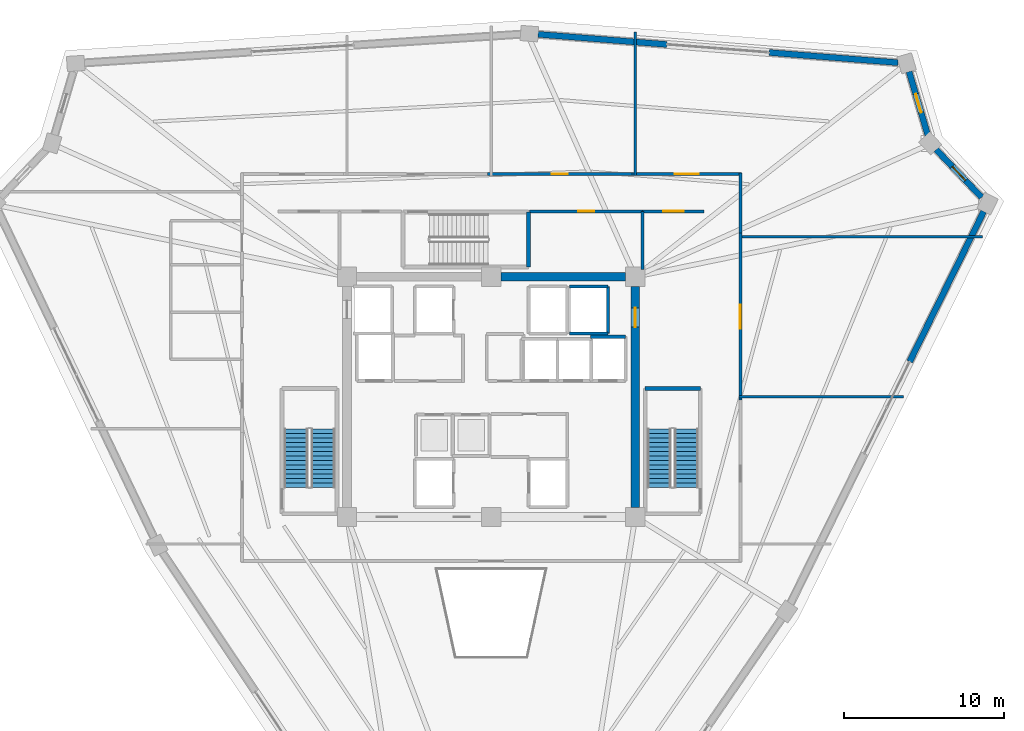
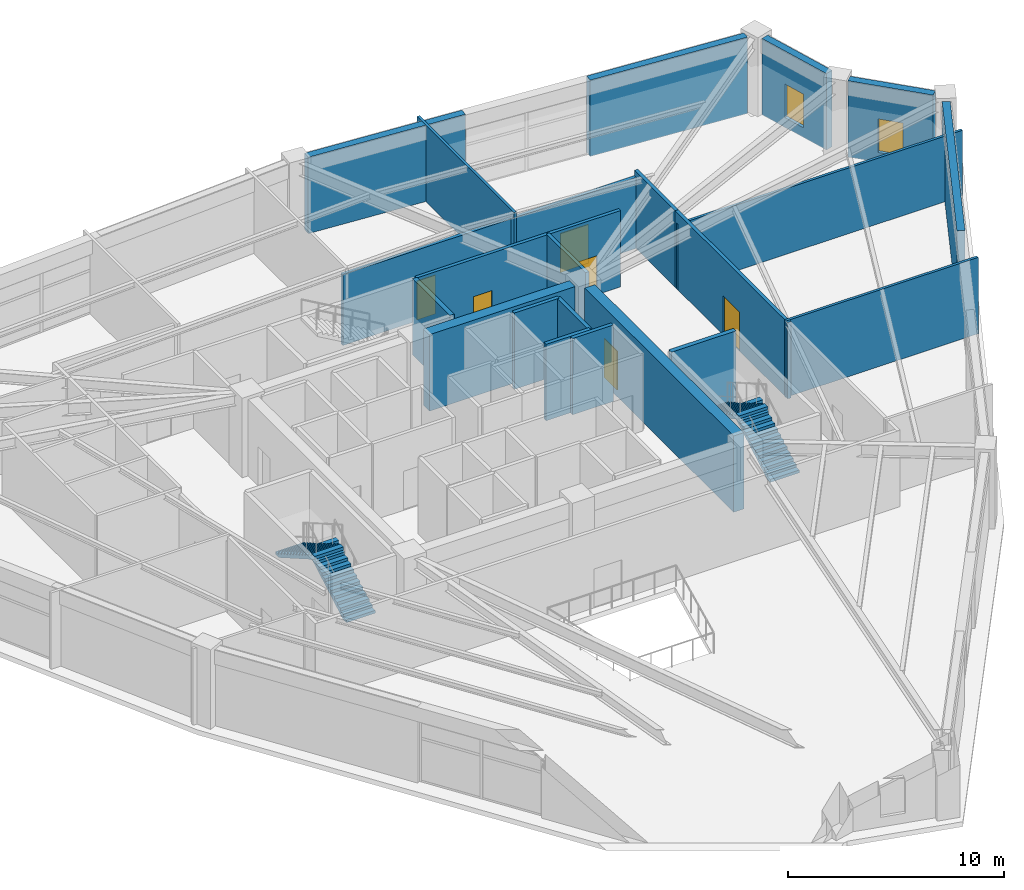
# One storey, part 31 of 35: 23 walls, 6 doors, 4 stair flights, 2 windows, 8 openings, 2 elements without a shape of their own.
"""IFC4 building model written with IfcOpenShell, lengths in metres."""

import ifcopenshell
import ifcopenshell.guid

model = None  # the IFC model being written
_history = None  # IfcOwnerHistory: only IFC2X3 demands one
_inside = {}  # id of a spatial element -> (the spatial element, [elements in it])
_under = {}  # id of a project, library or spatial element -> (it, [spatial elements below it])
_declared = {}  # id of a project -> (the project, [libraries it declares])
_typed = {}  # id of a type object -> (the type object, [elements of that type])
_made_of = {}  # id of a material, layer set ... -> (it, [elements and type objects made of it])


def new_model(schema):
    """Start an empty IFC model of exactly this schema.

    Asked for "IFC4X3", IfcOpenShell would pick the latest addendum, in which some entities
    have other attributes; the version numbers below select the first issue.
    IFC2X3 requires an IfcOwnerHistory on every rooted entity: one is made here for all.
    """
    global model, _history
    if schema == "IFC4X3":
        model = ifcopenshell.file(schema_version=(4, 3, 0, 0))
    else:
        model = ifcopenshell.file(schema=schema)
    _inside.clear()
    _under.clear()
    _declared.clear()
    _typed.clear()
    _made_of.clear()
    _history = None
    if model.schema == "IFC2X3":
        org = make("IfcOrganization", Name="unknown")
        user = make(
            "IfcPersonAndOrganization",
            ThePerson=make("IfcPerson", FamilyName="unknown"),
            TheOrganization=org,
        )
        app = make(
            "IfcApplication",
            ApplicationDeveloper=org,
            Version="unknown",
            ApplicationFullName="unknown",
            ApplicationIdentifier="unknown",
        )
        _history = make(
            "IfcOwnerHistory",
            OwningUser=user,
            OwningApplication=app,
            ChangeAction="ADDED",
            CreationDate=0,
        )
    return model


def make(cls, **values):
    """One entity of the class cls with the attributes given. An attribute that is None is left unset."""
    return model.create_entity(
        cls, **{name: value for name, value in values.items() if value is not None}
    )


def rooted(cls, **values):
    """An entity with a GlobalId (a new one), such as an element, a storey or a relation."""
    return make(cls, GlobalId=ifcopenshell.guid.new(), OwnerHistory=_history, **values)


def si_unit(unit_type, name, prefix=None):
    """IfcSIUnit, for example si_unit("LENGTHUNIT", "METRE", prefix="MILLI")."""
    return make("IfcSIUnit", UnitType=unit_type, Prefix=prefix, Name=name)


def assignment(units):
    """IfcUnitAssignment: the units of a project."""
    return None if units is None else make("IfcUnitAssignment", Units=units)


def point(xyz):
    """IfcCartesianPoint."""
    return None if xyz is None else make("IfcCartesianPoint", Coordinates=xyz)


def direction(xyz):
    """IfcDirection."""
    return None if xyz is None else make("IfcDirection", DirectionRatios=xyz)


def frame(location, z_axis=None, x_axis=None):
    """IfcAxis2Placement3D, a coordinate frame: its origin and axes. An axis left out is left unset."""
    return make(
        "IfcAxis2Placement3D",
        Location=point(location),
        Axis=direction(z_axis),
        RefDirection=direction(x_axis),
    )


def frame_2d(location, x_axis=None):
    """IfcAxis2Placement2D, a coordinate frame in the plane: its origin and x axis."""
    return make(
        "IfcAxis2Placement2D", Location=point(location), RefDirection=direction(x_axis)
    )


def origin():
    """The frame at (0, 0, 0) with its axes left unset."""
    return frame((0.0, 0.0, 0.0))


def place(relative_to, where):
    """IfcLocalPlacement: puts the frame where relative to a parent placement (None: the world)."""
    return make(
        "IfcLocalPlacement", PlacementRelTo=relative_to, RelativePlacement=where
    )


def context(
    kind, dimensions, precision=None, world=None, true_north=None, identifier=None
):
    """IfcGeometricRepresentationContext, for example the 3D "Model" context."""
    return make(
        "IfcGeometricRepresentationContext",
        ContextIdentifier=identifier,
        ContextType=kind,
        CoordinateSpaceDimension=dimensions,
        Precision=precision,
        WorldCoordinateSystem=world,
        TrueNorth=true_north,
    )


def subcontext(parent, identifier, kind, view, scale=None):
    """IfcGeometricRepresentationSubContext, for example "Body" below "Model"."""
    return make(
        "IfcGeometricRepresentationSubContext",
        ContextIdentifier=identifier,
        ContextType=kind,
        ParentContext=parent,
        TargetScale=scale,
        TargetView=view,
    )


def project(units=None, contexts=None):
    """IfcProject with its units and contexts."""
    return rooted(
        "IfcProject",
        Name="project",
        RepresentationContexts=contexts,
        UnitsInContext=assignment(units),
    )


def spatial(cls, under=None, at=None, **own):
    """A site, building, storey or space (cls), placed at a placement, below another one or the project."""
    s = rooted(cls, ObjectPlacement=at, **own)
    if under is not None:
        _under.setdefault(under.id(), (under, []))[1].append(s)
    return s


def polyline(points):
    """IfcPolyline through the points."""
    return make("IfcPolyline", Points=[point(p) for p in points])


def profile(cls, at=None, kind="AREA", **sizes):
    """A parametric profile (cls). Its sizes go by their IFC names, for example OverallWidth=200.0."""
    return make(cls, ProfileType=kind, Position=at, **sizes)


def rectangle(**sizes):
    """IfcRectangleProfileDef."""
    return profile("IfcRectangleProfileDef", **sizes)


def outline(outer, holes=None, kind="AREA"):
    """IfcArbitraryClosedProfileDef: a profile drawn as a closed curve; with holes, ...WithVoids."""
    if holes is None:
        return make("IfcArbitraryClosedProfileDef", ProfileType=kind, OuterCurve=outer)
    return make(
        "IfcArbitraryProfileDefWithVoids",
        ProfileType=kind,
        OuterCurve=outer,
        InnerCurves=holes,
    )


def extrude(swept, where, along, depth):
    """IfcExtrudedAreaSolid: the profile swept, set in the frame where, extruded along a direction by depth."""
    return make(
        "IfcExtrudedAreaSolid",
        SweptArea=swept,
        Position=where,
        ExtrudedDirection=direction(along),
        Depth=depth,
    )


def shape(context_of_items, identifier, shape_type, items):
    """IfcShapeRepresentation: the items that make up one representation, for example the "Body"."""
    return make(
        "IfcShapeRepresentation",
        ContextOfItems=context_of_items,
        RepresentationIdentifier=identifier,
        RepresentationType=shape_type,
        Items=items,
    )


def source(mapping_origin, context_of_items, identifier, shape_type, items):
    """IfcRepresentationMap: a shape defined once, which mapped items show again and again."""
    return make(
        "IfcRepresentationMap",
        MappingOrigin=mapping_origin,
        MappedRepresentation=shape(context_of_items, identifier, shape_type, items),
    )


def transform(
    local_origin,
    x_axis=None,
    y_axis=None,
    z_axis=None,
    scale=None,
    scale2=None,
    scale3=None,
    uniform=True,
):
    """IfcCartesianTransformationOperator3D, or its non-uniform kind. x_axis, y_axis, z_axis: its Axis1, 2, 3."""
    if uniform:
        return make(
            "IfcCartesianTransformationOperator3D",
            Axis1=direction(x_axis),
            Axis2=direction(y_axis),
            LocalOrigin=point(local_origin),
            Scale=scale,
            Axis3=direction(z_axis),
        )
    return make(
        "IfcCartesianTransformationOperator3DnonUniform",
        Axis1=direction(x_axis),
        Axis2=direction(y_axis),
        LocalOrigin=point(local_origin),
        Scale=scale,
        Axis3=direction(z_axis),
        Scale2=scale2,
        Scale3=scale3,
    )


def mapped(mapping_source, mapping_target):
    """IfcMappedItem: shows the shape of a source again, moved by a transform."""
    return make(
        "IfcMappedItem", MappingSource=mapping_source, MappingTarget=mapping_target
    )


def material(Name=None, Category=None):
    """IfcMaterial."""
    return make("IfcMaterial", Name=Name, Category=Category)


def layer(
    of_material, thickness, ventilated=None, Name=None, Category=None, Priority=None
):
    """IfcMaterialLayer: one layer of a wall or slab, of a material (None: an air gap)."""
    return make(
        "IfcMaterialLayer",
        Material=of_material,
        LayerThickness=thickness,
        IsVentilated=ventilated,
        Name=Name,
        Category=Category,
        Priority=Priority,
    )


def layer_set(layers, Name=None):
    """IfcMaterialLayerSet."""
    return make("IfcMaterialLayerSet", MaterialLayers=layers, LayerSetName=Name)


def made_of(thing, what):
    """Note that an element or type object is made of a material, layer set ...; save() writes the relation."""
    if what is not None:
        _made_of.setdefault(what.id(), (what, []))[1].append(thing)
    return thing


def type_object(cls, material=None, **own):
    """A type object (cls), such as IfcWallType, which elements share."""
    return made_of(rooted(cls, **own), material)


def element(
    cls,
    number,
    at=None,
    inside=None,
    cuts=None,
    type_object=None,
    material=None,
    context=None,
    identifier="Body",
    shape_type=None,
    held_by="IfcProductDefinitionShape",
    body=None,
    shapes=None,
    **own,
):
    """One element of the class cls, such as IfcWall. Its Tag is "e" and its number.

    at: its placement. inside: the storey or other place that contains it. cuts: it is an
    opening in that element (IfcRelVoidsElement). A single representation is given by context,
    identifier, shape_type and body (its items); several are given by shapes. held_by: the class
    of the entity that holds the representations. save() writes the other relations.
    """
    e = rooted(cls, Tag="e%d" % number, ObjectPlacement=at, **own)
    if body is not None:
        shapes = [shape(context, identifier, shape_type, body)]
    if shapes is not None:
        e.Representation = make(held_by, Representations=shapes)
    if inside is not None:
        _inside.setdefault(inside.id(), (inside, []))[1].append(e)
    if cuts is not None:
        rooted(
            "IfcRelVoidsElement", RelatingBuildingElement=cuts, RelatedOpeningElement=e
        )
    if type_object is not None:
        _typed.setdefault(type_object.id(), (type_object, []))[1].append(e)
    return made_of(e, material)


def fill(opening, filler):
    """IfcRelFillsElement: the door or window that sits in an opening."""
    return rooted(
        "IfcRelFillsElement",
        RelatingOpeningElement=opening,
        RelatedBuildingElement=filler,
    )


def aggregate(whole, parts):
    """IfcRelAggregates: a whole, such as a stair, and the parts it consists of."""
    return rooted("IfcRelAggregates", RelatingObject=whole, RelatedObjects=parts)


def save(model, path):
    """Write the relations noted so far, then the file.

    IfcRelAggregates (storeys below a building ...), IfcRelContainedInSpatialStructure (elements
    in a storey), IfcRelDefinesByType, IfcRelAssociatesMaterial and IfcRelDeclares: one each for
    every whole, place, type object, material and project.
    """
    for whole, parts in _under.values():
        aggregate(whole, parts)
    for where, things in _inside.values():
        rooted(
            "IfcRelContainedInSpatialStructure",
            RelatedElements=things,
            RelatingStructure=where,
        )
    for kind, things in _typed.values():
        rooted("IfcRelDefinesByType", RelatedObjects=things, RelatingType=kind)
    for what, things in _made_of.values():
        rooted("IfcRelAssociatesMaterial", RelatedObjects=things, RelatingMaterial=what)
    for by, libraries in _declared.values():
        rooted("IfcRelDeclares", RelatingContext=by, RelatedDefinitions=libraries)
    model.write(path)


model = new_model("IFC4")

# Units and contexts
model_context = context("Model", 3, precision=1e-05, world=origin(), true_north=direction((0.0, 1.0)))
body_context = subcontext(model_context, "Body", "Model", "MODEL_VIEW")
ifc_project = project(units=[si_unit("LENGTHUNIT", "METRE"), si_unit("AREAUNIT", "SQUARE_METRE"), si_unit("VOLUMEUNIT", "CUBIC_METRE"), si_unit("PLANEANGLEUNIT", "RADIAN"), si_unit("MASSUNIT", "GRAM", prefix="KILO")], contexts=[model_context])

# Site, building, storey
site_placement = place(None, origin())
site = spatial("IfcSite", under=ifc_project, at=site_placement, CompositionType="ELEMENT")
building_placement = place(site_placement, origin())
building = spatial("IfcBuilding", under=site, at=building_placement, Name="Liaohun Quay Tower", CompositionType="ELEMENT")
storey_placement = place(building_placement, frame((0.0, 0.0, 282.0)))
storey = spatial("IfcBuildingStorey", under=building, at=storey_placement, Name="L73", CompositionType="ELEMENT", Elevation=282.0)

# Wall
ifc_material_1 = material(Name="Concrete C50", Category="concrete")
ifc_layer_1 = layer(ifc_material_1, 0.550048828125, Name="Concrete C50", Category="concrete")
ifc_layer_set_1 = layer_set([ifc_layer_1], Name="Concrete C50")
wall_type_1 = type_object("IfcWallType", Name="WAL-COR-Z4", PredefinedType="SHEAR", material=ifc_layer_set_1)
wall_1_placement = place(storey_placement, frame((60.60009765625, 61.5, 0.0), z_axis=(0.0, 0.0, 1.0), x_axis=(1.0, 0.0, 0.0)))
element("IfcWall", 1, at=wall_1_placement, inside=storey, type_object=wall_type_1, Name="L73 Central Core Shear Wall N-E", PredefinedType="SHEAR", context=body_context, shape_type="SweptSolid", body=[
    extrude(rectangle(XDim=7.7998046875, YDim=0.550048828125, at=frame_2d((3.89990234375, 0.0))), origin(), (0.0, 0.0, 1.0), 4.320068359375),
])

# Wall, opening, door
wall_2_placement = place(storey_placement, frame((69.0, 60.89990234375, 0.0), z_axis=(0.0, 0.0, 1.0), x_axis=(0.0, -1.0, 0.0)))
wall_2 = element("IfcWall", 2, at=wall_2_placement, inside=storey, type_object=wall_type_1, Name="L73 Central Core Shear Wall E", PredefinedType="SHEAR", context=body_context, shape_type="SweptSolid", body=[
    extrude(rectangle(XDim=13.7998046875, YDim=0.550048828125, at=frame_2d((6.89990234375, 0.0))), origin(), (0.0, 0.0, 1.0), 4.320068359375),
])
shared_shape_1 = source(origin(), body_context, "Body", "SweptSolid", [
    extrude(rectangle(XDim=1.199951171875, YDim=2.199951171875, at=frame_2d((0.60009765625, 1.10009765625))), frame((0.0, 0.284912109375, 0.0), z_axis=(0.0, -1.0, 0.0), x_axis=(1.0, 0.0, 0.0)), (0.0, 0.0, 1.0), 0.570068359375),
])
opening_1_placement = place(wall_2_placement, frame((1.35009765625, 0.0, 0.0)))
opening_1 = element("IfcOpeningElement", 3, at=opening_1_placement, cuts=wall_2, Name="Opening SD1", PredefinedType="OPENING", context=body_context, shape_type="MappedRepresentation", body=[
    mapped(shared_shape_1, transform((0.0, 0.0, 0.0), x_axis=(1.0, 0.0, 0.0), y_axis=(0.0, 1.0, 0.0), z_axis=(0.0, 0.0, 1.0), scale=1.0)),
])
ifc_material_2 = material(Name="Galvanised steel fire door", Category="steel")
door_type_1 = type_object("IfcDoorType", Name="DOR-STR-1200", OperationType="NOTDEFINED", PredefinedType="DOOR", material=ifc_material_2)
shared_shape_2 = source(origin(), body_context, "Body", "SweptSolid", [
    extrude(rectangle(XDim=1.199951171875, YDim=2.199951171875, at=frame_2d((0.60009765625, 1.10009765625))), frame((0.0, 0.02490234375, 0.0), z_axis=(0.0, -1.0, 0.0), x_axis=(1.0, 0.0, 0.0)), (0.0, 0.0, 1.0), 0.050048828125),
])
door_1_placement = place(opening_1_placement, origin())
door_1 = element("IfcDoor", 4, at=door_1_placement, inside=storey, type_object=door_type_1, Name="L73 North-East Core Lobby Smokeproof Door", OperationType="SINGLE_SWING_LEFT", OverallHeight=2.199951171875, OverallWidth=1.199951171875, PredefinedType="DOOR", context=body_context, shape_type="MappedRepresentation", body=[
    mapped(shared_shape_2, transform((0.0, 0.0, 0.0), x_axis=(1.0, 0.0, 0.0), y_axis=(0.0, 1.0, 0.0), z_axis=(0.0, 0.0, 1.0), scale=1.0)),
])
fill(opening_1, door_1)

# Wall
ifc_material_3 = material(Name="Precast concrete C50 insulated sandwich", Category="concrete")
ifc_layer_2 = layer(ifc_material_3, 0.3798828125, Name="Precast concrete C50 insulated sandwich", Category="concrete")
ifc_layer_set_2 = layer_set([ifc_layer_2], Name="Precast concrete C50 insulated sandwich")
wall_type_2 = type_object("IfcWallType", Name="WAL-EXT-Z34", PredefinedType="SOLIDWALL", material=ifc_layer_set_2)
wall_3_placement = place(storey_placement, frame((86.135986328125, 56.197998046875, 0.0), z_axis=(0.0, 0.0, 1.0), x_axis=(0.442088729398, 0.896971323588, 0.0)))
element("IfcWall", 5, at=wall_3_placement, inside=storey, type_object=wall_type_2, Name="L73 Belvedere Flank Pier Wall 03R", PredefinedType="SOLIDWALL", context=body_context, shape_type="SweptSolid", body=[
    extrude(rectangle(XDim=10.457275390625, YDim=0.3798828125, at=frame_2d((5.228515625, 0.0))), origin(), (0.0, 0.0, 1.0), 4.320068359375),
])

# Wall, opening, window
wall_4_placement = place(storey_placement, frame((90.6259765625, 66.452880859375, 0.0), z_axis=(0.0, 0.0, 1.0), x_axis=(-0.689252473485, 0.724521240403, 0.0)))
wall_4 = element("IfcWall", 6, at=wall_4_placement, inside=storey, type_object=wall_type_2, Name="L73 Corner Notch Precast Pier Wall 04", PredefinedType="SOLIDWALL", context=body_context, shape_type="SweptSolid", body=[
    extrude(rectangle(XDim=4.11865234375, YDim=0.3798828125, at=frame_2d((2.059326171875, 0.0))), origin(), (0.0, 0.0, 1.0), 4.320068359375),
])
shared_shape_3 = source(origin(), body_context, "Body", "SweptSolid", [
    extrude(rectangle(XDim=1.199951171875, YDim=1.89990234375, at=frame_2d((0.60009765625, 0.949951171875))), frame((0.0, 0.199951171875, 0.0), z_axis=(0.0, -1.0, 0.0), x_axis=(1.0, 0.0, 0.0)), (0.0, 0.0, 1.0), 0.39990234375),
])
opening_2_placement = place(wall_4_placement, frame((1.458984375, 0.0, 0.550048828125)))
opening_2 = element("IfcOpeningElement", 7, at=opening_2_placement, cuts=wall_4, Name="Opening W05", PredefinedType="OPENING", context=body_context, shape_type="MappedRepresentation", body=[
    mapped(shared_shape_3, transform((0.0, 0.0, 0.0), x_axis=(1.0, 0.0, 0.0), y_axis=(0.0, 1.0, 0.0), z_axis=(0.0, 0.0, 1.0), scale=1.0)),
])
ifc_material_4 = material(Name="Triple Low-E corner notch glazing", Category="glass")
window_type = type_object("IfcWindowType", Name="WIN-NOTCH", PartitioningType="SINGLE_PANEL", PredefinedType="WINDOW", material=ifc_material_4)
shared_shape_4 = source(origin(), body_context, "Body", "SweptSolid", [
    extrude(rectangle(XDim=1.199951171875, YDim=1.89990234375, at=frame_2d((0.60009765625, 0.949951171875))), frame((0.0, 0.030029296875, 0.0), z_axis=(0.0, -1.0, 0.0), x_axis=(1.0, 0.0, 0.0)), (0.0, 0.0, 1.0), 0.06005859375),
])
window_1_placement = place(opening_2_placement, origin())
window_1 = element("IfcWindow", 8, at=window_1_placement, inside=storey, type_object=window_type, Name="L73 Corner Notch Window W05-04", OverallHeight=1.89990234375, OverallWidth=1.199951171875, PartitioningType="SINGLE_PANEL", PredefinedType="WINDOW", context=body_context, shape_type="MappedRepresentation", body=[
    mapped(shared_shape_4, transform((0.0, 0.0, 0.0), x_axis=(1.0, 0.0, 0.0), y_axis=(0.0, 1.0, 0.0), z_axis=(0.0, 0.0, 1.0), scale=1.0)),
])
fill(opening_2, window_1)

wall_5_placement = place(storey_placement, frame((87.261962890625, 70.345947265625, 0.0), z_axis=(0.0, 0.0, 1.0), x_axis=(-0.282742714643, 0.959195786748, 0.0)))
wall_5 = element("IfcWall", 9, at=wall_5_placement, inside=storey, type_object=wall_type_2, Name="L73 Corner Notch Precast Pier Wall 05", PredefinedType="SOLIDWALL", context=body_context, shape_type="SweptSolid", body=[
    extrude(rectangle(XDim=4.12744140625, YDim=0.3798828125, at=frame_2d((2.063720703125, 0.0))), origin(), (0.0, 0.0, 1.0), 4.320068359375),
])
opening_3_placement = place(wall_5_placement, frame((1.464111328125, 0.0, 0.550048828125)))
opening_3 = element("IfcOpeningElement", 10, at=opening_3_placement, cuts=wall_5, Name="Opening W05", PredefinedType="OPENING", context=body_context, shape_type="MappedRepresentation", body=[
    mapped(shared_shape_3, transform((0.0, 0.0, 0.0), x_axis=(1.0, 0.0, 0.0), y_axis=(0.0, 1.0, 0.0), z_axis=(0.0, 0.0, 1.0), scale=1.0)),
])
window_2_placement = place(opening_3_placement, origin())
window_2 = element("IfcWindow", 11, at=window_2_placement, inside=storey, type_object=window_type, Name="L73 Corner Notch Window W05-05", OverallHeight=1.89990234375, OverallWidth=1.199951171875, PartitioningType="SINGLE_PANEL", PredefinedType="WINDOW", context=body_context, shape_type="MappedRepresentation", body=[
    mapped(shared_shape_4, transform((0.0, 0.0, 0.0), x_axis=(1.0, 0.0, 0.0), y_axis=(0.0, 1.0, 0.0), z_axis=(0.0, 0.0, 1.0), scale=1.0)),
])
fill(opening_3, window_2)

# Walls
for number, where, z_axis, x_axis, name in (
    (12, (85.404052734375, 74.864990234375, 0.0), (0.0, 0.0, 1.0), (-0.996911930787, 0.078527716469, 0.0), "L73 Belvedere Flank Pier Wall 06L"),
    (13, (70.97412109375, 76.0009765625, 0.0), (0.0, 0.0, 1.0), (-0.996911930787, 0.078527716469, 0.0), "L73 Belvedere Flank Pier Wall 06R"),
):
    element("IfcWall", number, at=place(storey_placement, frame(where, z_axis=z_axis, x_axis=x_axis)), inside=storey, type_object=wall_type_2, Name=name, PredefinedType="SOLIDWALL", context=body_context, shape_type="SweptSolid", body=[
        extrude(rectangle(XDim=8.073974609375, YDim=0.3798828125, at=frame_2d((4.037109375, 0.0))), origin(), (0.0, 0.0, 1.0), 4.320068359375),
    ])

# Wall, opening, door
ifc_material_5 = material(Name="Autoclaved aerated concrete blockwork", Category="masonry")
ifc_layer_3 = layer(ifc_material_5, 0.179931640625, Name="Autoclaved aerated concrete blockwork", Category="masonry")
ifc_layer_set_3 = layer_set([ifc_layer_3], Name="Autoclaved aerated concrete blockwork")
wall_type_3 = type_object("IfcWallType", Name="WAL-PRT-COR", PredefinedType="PARTITIONING", material=ifc_layer_set_3)
wall_6_placement = place(storey_placement, frame((62.389892578125, 65.580078125, 0.0), z_axis=(0.0, 0.0, 1.0), x_axis=(1.0, 0.0, 0.0)))
wall_6 = element("IfcWall", 14, at=wall_6_placement, inside=storey, type_object=wall_type_3, Name="L73 Interior Partition Wall 008", PredefinedType="PARTITIONING", context=body_context, shape_type="SweptSolid", body=[
    extrude(rectangle(XDim=7.070068359375, YDim=0.179931640625, at=frame_2d((3.53515625, 0.0))), origin(), (0.0, 0.0, 1.0), 4.320068359375),
])
shared_shape_5 = source(origin(), body_context, "Body", "SweptSolid", [
    extrude(rectangle(XDim=1.0, YDim=2.199951171875, at=frame_2d((0.5, 1.10009765625))), frame((0.0, 0.099853515625, 0.0), z_axis=(0.0, -1.0, 0.0), x_axis=(1.0, 0.0, 0.0)), (0.0, 0.0, 1.0), 0.199951171875),
])
opening_4_placement = place(wall_6_placement, frame((3.034912109375, 0.0, 0.0)))
opening_4 = element("IfcOpeningElement", 15, at=opening_4_placement, cuts=wall_6, Name="Opening OD1", PredefinedType="OPENING", context=body_context, shape_type="MappedRepresentation", body=[
    mapped(shared_shape_5, transform((0.0, 0.0, 0.0), x_axis=(1.0, 0.0, 0.0), y_axis=(0.0, 1.0, 0.0), z_axis=(0.0, 0.0, 1.0), scale=1.0)),
])
ifc_material_6 = material(Name="Solid-core oak veneer timber leaf in steel frame", Category="steel")
door_type_2 = type_object("IfcDoorType", Name="DOR-OFF-1000", OperationType="NOTDEFINED", PredefinedType="DOOR", material=ifc_material_6)
shared_shape_6 = source(origin(), body_context, "Body", "SweptSolid", [
    extrude(rectangle(XDim=1.0, YDim=2.199951171875, at=frame_2d((0.5, 1.10009765625))), frame((0.0, 0.02490234375, 0.0), z_axis=(0.0, -1.0, 0.0), x_axis=(1.0, 0.0, 0.0)), (0.0, 0.0, 1.0), 0.050048828125),
])
door_2_placement = place(opening_4_placement, origin())
door_2 = element("IfcDoor", 16, at=door_2_placement, inside=storey, type_object=door_type_2, Name="L73 North-East Archive and Mail Room Door", OperationType="SINGLE_SWING_RIGHT", OverallHeight=2.199951171875, OverallWidth=1.0, PredefinedType="DOOR", context=body_context, shape_type="MappedRepresentation", body=[
    mapped(shared_shape_6, transform((0.0, 0.0, 0.0), x_axis=(1.0, 0.0, 0.0), y_axis=(0.0, 1.0, 0.0), z_axis=(0.0, 0.0, 1.0), scale=1.0)),
])
fill(opening_4, door_2)

wall_7_placement = place(storey_placement, frame((69.4599609375, 65.580078125, 0.0), z_axis=(0.0, 0.0, 1.0), x_axis=(1.0, 0.0, 0.0)))
wall_7 = element("IfcWall", 17, at=wall_7_placement, inside=storey, type_object=wall_type_3, Name="L73 Interior Partition Wall 010", PredefinedType="PARTITIONING", context=body_context, shape_type="SweptSolid", body=[
    extrude(rectangle(XDim=3.840087890625, YDim=0.179931640625, at=frame_2d((1.919921875, 0.0))), origin(), (0.0, 0.0, 1.0), 4.320068359375),
])
shared_shape_7 = source(origin(), body_context, "Body", "SweptSolid", [
    extrude(rectangle(XDim=1.300048828125, YDim=2.199951171875, at=frame_2d((0.64990234375, 1.10009765625))), frame((0.0, 0.099853515625, 0.0), z_axis=(0.0, -1.0, 0.0), x_axis=(1.0, 0.0, 0.0)), (0.0, 0.0, 1.0), 0.199951171875),
])
opening_5_placement = place(wall_7_placement, frame((1.27001953125, 0.0, 0.0)))
opening_5 = element("IfcOpeningElement", 18, at=opening_5_placement, cuts=wall_7, Name="Opening FD1", PredefinedType="OPENING", context=body_context, shape_type="MappedRepresentation", body=[
    mapped(shared_shape_7, transform((0.0, 0.0, 0.0), x_axis=(1.0, 0.0, 0.0), y_axis=(0.0, 1.0, 0.0), z_axis=(0.0, 0.0, 1.0), scale=1.0)),
])
ifc_material_7 = material(Name="Galvanised steel smokeproof fire door", Category="steel")
door_type_3 = type_object("IfcDoorType", Name="DOR-FFL-1300", OperationType="NOTDEFINED", PredefinedType="DOOR", material=ifc_material_7)
shared_shape_8 = source(origin(), body_context, "Body", "SweptSolid", [
    extrude(rectangle(XDim=1.300048828125, YDim=2.199951171875, at=frame_2d((0.64990234375, 1.10009765625))), frame((0.0, 0.02490234375, 0.0), z_axis=(0.0, -1.0, 0.0), x_axis=(1.0, 0.0, 0.0)), (0.0, 0.0, 1.0), 0.050048828125),
])
door_3_placement = place(opening_5_placement, origin())
door_3 = element("IfcDoor", 19, at=door_3_placement, inside=storey, type_object=door_type_3, Name="L73 East Core Vestibule Door", OperationType="SINGLE_SWING_RIGHT", OverallHeight=2.199951171875, OverallWidth=1.300048828125, PredefinedType="DOOR", context=body_context, shape_type="MappedRepresentation", body=[
    mapped(shared_shape_8, transform((0.0, 0.0, 0.0), x_axis=(1.0, 0.0, 0.0), y_axis=(0.0, 1.0, 0.0), z_axis=(0.0, 0.0, 1.0), scale=1.0)),
])
fill(opening_5, door_3)

wall_8_placement = place(storey_placement, frame((75.56005859375, 64.215087890625, 0.0), z_axis=(0.0, 0.0, 1.0), x_axis=(0.0, -1.0, 0.0)))
wall_8 = element("IfcWall", 20, at=wall_8_placement, inside=storey, type_object=wall_type_3, Name="L73 Interior Partition Wall 011", PredefinedType="PARTITIONING", context=body_context, shape_type="SweptSolid", body=[
    extrude(rectangle(XDim=10.43017578125, YDim=0.179931640625, at=frame_2d((5.215087890625, 0.0))), origin(), (0.0, 0.0, 1.0), 4.320068359375),
])
shared_shape_9 = source(origin(), body_context, "Body", "SweptSolid", [
    extrude(rectangle(XDim=1.5, YDim=2.199951171875, at=frame_2d((0.75, 1.10009765625))), frame((0.0, 0.099853515625, 0.0), z_axis=(0.0, -1.0, 0.0), x_axis=(1.0, 0.0, 0.0)), (0.0, 0.0, 1.0), 0.199951171875),
])
opening_6_placement = place(wall_8_placement, frame((4.465087890625, 0.0, 0.0)))
opening_6 = element("IfcOpeningElement", 21, at=opening_6_placement, cuts=wall_8, Name="Opening OD2", PredefinedType="OPENING", context=body_context, shape_type="MappedRepresentation", body=[
    mapped(shared_shape_9, transform((0.0, 0.0, 0.0), x_axis=(1.0, 0.0, 0.0), y_axis=(0.0, 1.0, 0.0), z_axis=(0.0, 0.0, 1.0), scale=1.0)),
])
ifc_material_8 = material(Name="Acoustic oak veneer double door")
door_type_4 = type_object("IfcDoorType", Name="DOR-OFF-1500", OperationType="DOUBLE_DOOR_SINGLE_SWING", PredefinedType="DOOR", material=ifc_material_8)
shared_shape_10 = source(origin(), body_context, "Body", "SweptSolid", [
    extrude(rectangle(XDim=1.5, YDim=2.199951171875, at=frame_2d((0.75, 1.10009765625))), frame((0.0, 0.02490234375, 0.0), z_axis=(0.0, -1.0, 0.0), x_axis=(1.0, 0.0, 0.0)), (0.0, 0.0, 1.0), 0.050048828125),
])
door_4_placement = place(opening_6_placement, origin())
door_4 = element("IfcDoor", 22, at=door_4_placement, inside=storey, type_object=door_type_4, Name="L73 High-Zone Sky Club Transfer Concourse 01 Door", OperationType="DOUBLE_DOOR_SINGLE_SWING", OverallHeight=2.199951171875, OverallWidth=1.5, PredefinedType="DOOR", context=body_context, shape_type="MappedRepresentation", body=[
    mapped(shared_shape_10, transform((0.0, 0.0, 0.0), x_axis=(1.0, 0.0, 0.0), y_axis=(0.0, 1.0, 0.0), z_axis=(0.0, 0.0, 1.0), scale=1.0)),
])
fill(opening_6, door_4)

wall_9_placement = place(storey_placement, frame((68.784912109375, 67.909912109375, 0.0), z_axis=(0.0, 0.0, 1.0), x_axis=(1.0, 0.0, 0.0)))
wall_9 = element("IfcWall", 23, at=wall_9_placement, inside=storey, type_object=wall_type_3, Name="L73 Interior Partition Wall 012", PredefinedType="PARTITIONING", context=body_context, shape_type="SweptSolid", body=[
    extrude(rectangle(XDim=6.844970703125, YDim=0.179931640625, at=frame_2d((3.42236328125, 0.0))), origin(), (0.0, 0.0, 1.0), 4.010986328125),
])
opening_7_placement = place(wall_9_placement, frame((2.672119140625, 0.0, 0.0)))
opening_7 = element("IfcOpeningElement", 24, at=opening_7_placement, cuts=wall_9, Name="Opening OD2", PredefinedType="OPENING", context=body_context, shape_type="MappedRepresentation", body=[
    mapped(shared_shape_9, transform((0.0, 0.0, 0.0), x_axis=(1.0, 0.0, 0.0), y_axis=(0.0, 1.0, 0.0), z_axis=(0.0, 0.0, 1.0), scale=1.0)),
])
door_5_placement = place(opening_7_placement, origin())
door_5 = element("IfcDoor", 25, at=door_5_placement, inside=storey, type_object=door_type_4, Name="L73 Executive Advisory Studio 02 Door", OperationType="DOUBLE_DOOR_SINGLE_SWING", OverallHeight=2.199951171875, OverallWidth=1.5, PredefinedType="DOOR", context=body_context, shape_type="MappedRepresentation", body=[
    mapped(shared_shape_10, transform((0.0, 0.0, 0.0), x_axis=(1.0, 0.0, 0.0), y_axis=(0.0, 1.0, 0.0), z_axis=(0.0, 0.0, 1.0), scale=1.0)),
])
fill(opening_7, door_5)

wall_10_placement = place(storey_placement, frame((59.784912109375, 67.909912109375, 0.0), z_axis=(0.0, 0.0, 1.0), x_axis=(1.0, 0.0, 0.0)))
wall_10 = element("IfcWall", 26, at=wall_10_placement, inside=storey, type_object=wall_type_3, Name="L73 Interior Partition Wall 013", PredefinedType="PARTITIONING", context=body_context, shape_type="SweptSolid", body=[
    extrude(rectangle(XDim=9.0, YDim=0.179931640625, at=frame_2d((4.5, 0.0))), origin(), (0.0, 0.0, 1.0), 4.010986328125),
])
opening_8_placement = place(wall_10_placement, frame((4.0, 0.0, 0.0)))
opening_8 = element("IfcOpeningElement", 27, at=opening_8_placement, cuts=wall_10, Name="Opening OD1", PredefinedType="OPENING", context=body_context, shape_type="MappedRepresentation", body=[
    mapped(shared_shape_5, transform((0.0, 0.0, 0.0), x_axis=(1.0, 0.0, 0.0), y_axis=(0.0, 1.0, 0.0), z_axis=(0.0, 0.0, 1.0), scale=1.0)),
])
door_6_placement = place(opening_8_placement, origin())
door_6 = element("IfcDoor", 28, at=door_6_placement, inside=storey, type_object=door_type_2, Name="L73 Innovation Prototyping Laboratory 03 Door", OperationType="SINGLE_SWING_LEFT", OverallHeight=2.199951171875, OverallWidth=1.0, PredefinedType="DOOR", context=body_context, shape_type="MappedRepresentation", body=[
    mapped(shared_shape_6, transform((0.0, 0.0, 0.0), x_axis=(1.0, 0.0, 0.0), y_axis=(0.0, 1.0, 0.0), z_axis=(0.0, 0.0, 1.0), scale=1.0)),
])
fill(opening_8, door_6)

# Walls
wall_11_placement = place(storey_placement, frame((69.4599609375, 61.949951171875, 0.0), z_axis=(0.0, 0.0, 1.0), x_axis=(0.0, 1.0, 0.0)))
element("IfcWall", 29, at=wall_11_placement, inside=storey, type_object=wall_type_3, Name="L73 Interior Partition Wall 029", PredefinedType="PARTITIONING", context=body_context, shape_type="SweptSolid", body=[
    extrude(rectangle(XDim=3.630126953125, YDim=0.179931640625, at=frame_2d((1.81494140625, 0.0))), origin(), (0.0, 0.0, 1.0), 4.320068359375),
])
wall_12_placement = place(storey_placement, frame((75.56005859375, 67.97998046875, 0.0), z_axis=(0.0, 0.0, 1.0), x_axis=(0.0, -1.0, 0.0)))
element("IfcWall", 30, at=wall_12_placement, inside=storey, type_object=wall_type_3, Name="L73 Interior Partition Wall 030", PredefinedType="PARTITIONING", context=body_context, shape_type="SweptSolid", body=[
    extrude(rectangle(XDim=3.764892578125, YDim=0.179931640625, at=frame_2d((1.88232421875, 0.0))), origin(), (0.0, 0.0, 1.0), 4.320068359375),
])
ifc_material_9 = material(Name="Gypsum board on twin steel studs", Category="steel")
ifc_layer_4 = layer(ifc_material_9, 0.139892578125, Name="Gypsum board on twin steel studs", Category="steel")
ifc_layer_set_4 = layer_set([ifc_layer_4], Name="Gypsum board on twin steel studs")
wall_type_4 = type_object("IfcWallType", Name="WAL-PRT-OFF", PredefinedType="PARTITIONING", material=ifc_layer_set_4)
wall_13_placement = place(storey_placement, frame((75.4599609375, 54.0, 0.0), z_axis=(0.0, 0.0, 1.0), x_axis=(1.0, 0.0, 0.0)))
element("IfcWall", 31, at=wall_13_placement, inside=storey, type_object=wall_type_4, Name="L73 Interior Partition Wall 039", PredefinedType="PARTITIONING", context=body_context, shape_type="SweptSolid", body=[
    extrude(rectangle(XDim=10.294921875, YDim=0.139892578125, at=frame_2d((5.1474609375, 0.0))), origin(), (0.0, 0.0, 1.0), 4.320068359375),
])
wall_14_placement = place(storey_placement, frame((75.4599609375, 64.0, 0.0), z_axis=(0.0, 0.0, 1.0), x_axis=(1.0, 0.0, 0.0)))
element("IfcWall", 32, at=wall_14_placement, inside=storey, type_object=wall_type_4, Name="L73 Interior Partition Wall 040", PredefinedType="PARTITIONING", context=body_context, shape_type="SweptSolid", body=[
    extrude(rectangle(XDim=15.22412109375, YDim=0.139892578125, at=frame_2d((7.612060546875, 0.0))), origin(), (0.0, 0.0, 1.0), 3.717041015625),
])
wall_15_placement = place(storey_placement, frame((69.0, 67.81005859375, 0.0), z_axis=(0.0, 0.0, 1.0), x_axis=(0.0, 1.0, 0.0)))
element("IfcWall", 33, at=wall_15_placement, inside=storey, type_object=wall_type_4, Name="L73 Interior Partition Wall 043", PredefinedType="PARTITIONING", context=body_context, shape_type="SweptSolid", body=[
    extrude(rectangle(XDim=8.97802734375, YDim=0.139892578125, at=frame_2d((4.489013671875, 0.0))), origin(), (0.0, 0.0, 1.0), 4.320068359375),
])
ifc_layer_5 = layer(ifc_material_1, 0.239990234375, Name="Concrete C50", Category="concrete")
ifc_layer_set_5 = layer_set([ifc_layer_5], Name="Concrete C50")
wall_type_5 = type_object("IfcWallType", Name="WAL-SHF-200", PredefinedType="SOLIDWALL", material=ifc_layer_set_5)
for number, where, z_axis, x_axis, name in (
    (34, (73.06005859375, 54.52001953125, 0.0), (0.0, 0.0, 1.0), (-1.0, 0.0, 0.0), "L73 Stairwell ST-2 Structural Core Wall N"),
    (35, (62.320068359375, 62.10009765625, 0.0), (0.0, 0.0, 1.0), (0.0, 1.0, 0.0), "L73 Stairwell ST-3 Structural Core Wall E"),
):
    element("IfcWall", number, at=place(storey_placement, frame(where, z_axis=z_axis, x_axis=x_axis)), inside=storey, type_object=wall_type_5, Name=name, PredefinedType="SOLIDWALL", context=body_context, shape_type="SweptSolid", body=[
        extrude(rectangle(XDim=3.43994140625, YDim=0.239990234375, at=frame_2d((1.719970703125, 0.0))), origin(), (0.0, 0.0, 1.0), 4.320068359375),
    ])
wall_16_placement = place(storey_placement, frame((64.89990234375, 57.949951171875, 0.0), z_axis=(0.0, 0.0, 1.0), x_axis=(1.0, 0.0, 0.0)))
element("IfcWall", 36, at=wall_16_placement, inside=storey, type_object=wall_type_5, Name="L73 Lift OB-02 Hoistway Wall S", PredefinedType="SOLIDWALL", context=body_context, shape_type="SweptSolid", body=[
    extrude(rectangle(XDim=2.400146484375, YDim=0.199951171875, at=frame_2d((1.2001953125, 0.0))), origin(), (0.0, 0.0, 1.0), 4.320068359375),
])
wall_17_placement = place(storey_placement, frame((67.300048828125, 57.949951171875, 0.0), z_axis=(0.0, 0.0, 1.0), x_axis=(0.0, 1.0, 0.0)))
element("IfcWall", 37, at=wall_17_placement, inside=storey, type_object=wall_type_5, Name="L73 Lift OB-02 Hoistway Wall E", PredefinedType="SOLIDWALL", context=body_context, shape_type="SweptSolid", body=[
    extrude(rectangle(XDim=2.929931640625, YDim=0.199951171875, at=frame_2d((1.46484375, 0.0))), origin(), (0.0, 0.0, 1.0), 4.320068359375),
])
wall_18_placement = place(storey_placement, frame((67.300048828125, 60.8798828125, 0.0), z_axis=(0.0, 0.0, 1.0), x_axis=(-1.0, 0.0, 0.0)))
element("IfcWall", 38, at=wall_18_placement, inside=storey, type_object=wall_type_5, Name="L73 Lift OB-02 Hoistway Wall N", PredefinedType="SOLIDWALL", context=body_context, shape_type="SweptSolid", body=[
    extrude(rectangle(XDim=2.400146484375, YDim=0.199951171875, at=frame_2d((1.2001953125, 0.0))), origin(), (0.0, 0.0, 1.0), 4.320068359375),
])
wall_19_placement = place(storey_placement, frame((68.3798828125, 57.75, 0.0), z_axis=(0.0, 0.0, 1.0), x_axis=(-1.0, 0.0, 0.0)))
element("IfcWall", 39, at=wall_19_placement, inside=storey, type_object=wall_type_5, Name="L73 Lift SH-03 Hoistway Wall N", PredefinedType="SOLIDWALL", context=body_context, shape_type="SweptSolid", body=[
    extrude(rectangle(XDim=2.179931640625, YDim=0.199951171875, at=frame_2d((1.08984375, 0.0))), origin(), (0.0, 0.0, 1.0), 4.320068359375),
])

# Stair, stair flights
ifc_material_10 = material(Name="Concrete C45", Category="concrete")
stair_type = type_object("IfcStairType", Name="STR-CORE-TALL", PredefinedType="HALF_TURN_STAIR", material=ifc_material_10)
stair_1_placement = place(storey_placement, origin())
stair_1 = element("IfcStair", 40, at=stair_1_placement, inside=storey, type_object=stair_type, Name="L73 Smokeproof Core Exit Stair ST-1", PredefinedType="HALF_TURN_STAIR")
stair_flight_type = type_object("IfcStairFlightType", Name="FLT-CORE-155", PredefinedType="STRAIGHT", material=ifc_material_10)
stair_flight_1_placement = place(storey_placement, frame((49.5048828125, 48.35009765625, 0.0), z_axis=(0.0, 0.0, 1.0), x_axis=(0.0, 1.0, 0.0)))
stair_flight_1 = element("IfcStairFlight", 41, at=stair_flight_1_placement, type_object=stair_flight_type, Name="ST-1 flight 1", NumberOfRisers=14, NumberOfTreads=13, PredefinedType="STRAIGHT", RiserHeight=0.160714286, TreadLength=0.28, context=body_context, shape_type="SweptSolid", body=[
    extrude(outline(polyline([(0.0, 0.0), (0.0, 0.16064453125), (0.280029296875, 0.16064453125), (0.280029296875, 0.321533203125), (0.56005859375, 0.321533203125), (0.56005859375, 0.482177734375), (0.840087890625, 0.482177734375), (0.840087890625, 0.642822265625), (1.1201171875, 0.642822265625), (1.1201171875, 0.803466796875), (1.39990234375, 0.803466796875), (1.39990234375, 0.96435546875), (1.679931640625, 0.96435546875), (1.679931640625, 1.125), (1.9599609375, 1.125), (1.9599609375, 1.28564453125), (2.239990234375, 1.28564453125), (2.239990234375, 1.446533203125), (2.52001953125, 1.446533203125), (2.52001953125, 1.607177734375), (2.800048828125, 1.607177734375), (2.800048828125, 1.767822265625), (3.080078125, 1.767822265625), (3.080078125, 1.928466796875), (3.360107421875, 1.928466796875), (3.360107421875, 2.08935546875), (3.639892578125, 2.08935546875), (3.639892578125, 2.25), (3.639892578125, 1.91650390625), (0.301025390625, 0.0), (0.0, 0.0)])), frame((0.0, 0.77490234375, 0.0), z_axis=(0.0, -1.0, 0.0), x_axis=(1.0, 0.0, 0.0)), (0.0, 0.0, 1.0), 1.550048828125),
])
stair_flight_2_placement = place(storey_placement, frame((47.81494140625, 51.989990234375, 2.25), z_axis=(0.0, 0.0, 1.0), x_axis=(0.0, -1.0, 0.0)))
stair_flight_2 = element("IfcStairFlight", 42, at=stair_flight_2_placement, type_object=stair_flight_type, Name="ST-1 flight 2", NumberOfRisers=14, NumberOfTreads=13, PredefinedType="STRAIGHT", RiserHeight=0.160714286, TreadLength=0.28, context=body_context, shape_type="SweptSolid", body=[
    extrude(outline(polyline([(0.0, 0.0), (0.0, 0.16064453125), (0.280029296875, 0.16064453125), (0.280029296875, 0.321533203125), (0.56005859375, 0.321533203125), (0.56005859375, 0.482177734375), (0.840087890625, 0.482177734375), (0.840087890625, 0.642822265625), (1.1201171875, 0.642822265625), (1.1201171875, 0.803466796875), (1.39990234375, 0.803466796875), (1.39990234375, 0.96435546875), (1.679931640625, 0.96435546875), (1.679931640625, 1.125), (1.9599609375, 1.125), (1.9599609375, 1.28564453125), (2.239990234375, 1.28564453125), (2.239990234375, 1.446533203125), (2.52001953125, 1.446533203125), (2.52001953125, 1.607177734375), (2.800048828125, 1.607177734375), (2.800048828125, 1.767822265625), (3.080078125, 1.767822265625), (3.080078125, 1.928466796875), (3.360107421875, 1.928466796875), (3.360107421875, 2.08935546875), (3.639892578125, 2.08935546875), (3.639892578125, 2.25), (3.639892578125, 1.91650390625), (0.301025390625, 0.0), (0.0, 0.0)])), frame((0.0, 0.77490234375, 0.0), z_axis=(0.0, -1.0, 0.0), x_axis=(1.0, 0.0, 0.0)), (0.0, 0.0, 1.0), 1.550048828125),
])
aggregate(stair_1, [stair_flight_1, stair_flight_2])

stair_2_placement = place(storey_placement, origin())
stair_2 = element("IfcStair", 43, at=stair_2_placement, inside=storey, type_object=stair_type, Name="L73 Smokeproof Core Exit Stair ST-2", PredefinedType="HALF_TURN_STAIR")
stair_flight_3_placement = place(storey_placement, frame((72.18505859375, 48.35009765625, 0.0), z_axis=(0.0, 0.0, 1.0), x_axis=(0.0, 1.0, 0.0)))
stair_flight_3 = element("IfcStairFlight", 44, at=stair_flight_3_placement, type_object=stair_flight_type, Name="ST-2 flight 1", NumberOfRisers=14, NumberOfTreads=13, PredefinedType="STRAIGHT", RiserHeight=0.160714286, TreadLength=0.28, context=body_context, shape_type="SweptSolid", body=[
    extrude(outline(polyline([(0.0, 0.0), (0.0, 0.16064453125), (0.280029296875, 0.16064453125), (0.280029296875, 0.321533203125), (0.56005859375, 0.321533203125), (0.56005859375, 0.482177734375), (0.840087890625, 0.482177734375), (0.840087890625, 0.642822265625), (1.1201171875, 0.642822265625), (1.1201171875, 0.803466796875), (1.39990234375, 0.803466796875), (1.39990234375, 0.96435546875), (1.679931640625, 0.96435546875), (1.679931640625, 1.125), (1.9599609375, 1.125), (1.9599609375, 1.28564453125), (2.239990234375, 1.28564453125), (2.239990234375, 1.446533203125), (2.52001953125, 1.446533203125), (2.52001953125, 1.607177734375), (2.800048828125, 1.607177734375), (2.800048828125, 1.767822265625), (3.080078125, 1.767822265625), (3.080078125, 1.928466796875), (3.360107421875, 1.928466796875), (3.360107421875, 2.08935546875), (3.639892578125, 2.08935546875), (3.639892578125, 2.25), (3.639892578125, 1.91650390625), (0.301025390625, 0.0), (0.0, 0.0)])), frame((0.0, 0.77490234375, 0.0), z_axis=(0.0, -1.0, 0.0), x_axis=(1.0, 0.0, 0.0)), (0.0, 0.0, 1.0), 1.550048828125),
])
stair_flight_4_placement = place(storey_placement, frame((70.4951171875, 51.989990234375, 2.25), z_axis=(0.0, 0.0, 1.0), x_axis=(0.0, -1.0, 0.0)))
stair_flight_4 = element("IfcStairFlight", 45, at=stair_flight_4_placement, type_object=stair_flight_type, Name="ST-2 flight 2", NumberOfRisers=14, NumberOfTreads=13, PredefinedType="STRAIGHT", RiserHeight=0.160714286, TreadLength=0.28, context=body_context, shape_type="SweptSolid", body=[
    extrude(outline(polyline([(0.0, 0.0), (0.0, 0.16064453125), (0.280029296875, 0.16064453125), (0.280029296875, 0.321533203125), (0.56005859375, 0.321533203125), (0.56005859375, 0.482177734375), (0.840087890625, 0.482177734375), (0.840087890625, 0.642822265625), (1.1201171875, 0.642822265625), (1.1201171875, 0.803466796875), (1.39990234375, 0.803466796875), (1.39990234375, 0.96435546875), (1.679931640625, 0.96435546875), (1.679931640625, 1.125), (1.9599609375, 1.125), (1.9599609375, 1.28564453125), (2.239990234375, 1.28564453125), (2.239990234375, 1.446533203125), (2.52001953125, 1.446533203125), (2.52001953125, 1.607177734375), (2.800048828125, 1.607177734375), (2.800048828125, 1.767822265625), (3.080078125, 1.767822265625), (3.080078125, 1.928466796875), (3.360107421875, 1.928466796875), (3.360107421875, 2.08935546875), (3.639892578125, 2.08935546875), (3.639892578125, 2.25), (3.639892578125, 1.91650390625), (0.301025390625, 0.0), (0.0, 0.0)])), frame((0.0, 0.77490234375, 0.0), z_axis=(0.0, -1.0, 0.0), x_axis=(1.0, 0.0, 0.0)), (0.0, 0.0, 1.0), 1.550048828125),
])
aggregate(stair_2, [stair_flight_3, stair_flight_4])

save(model, "model.ifc")
